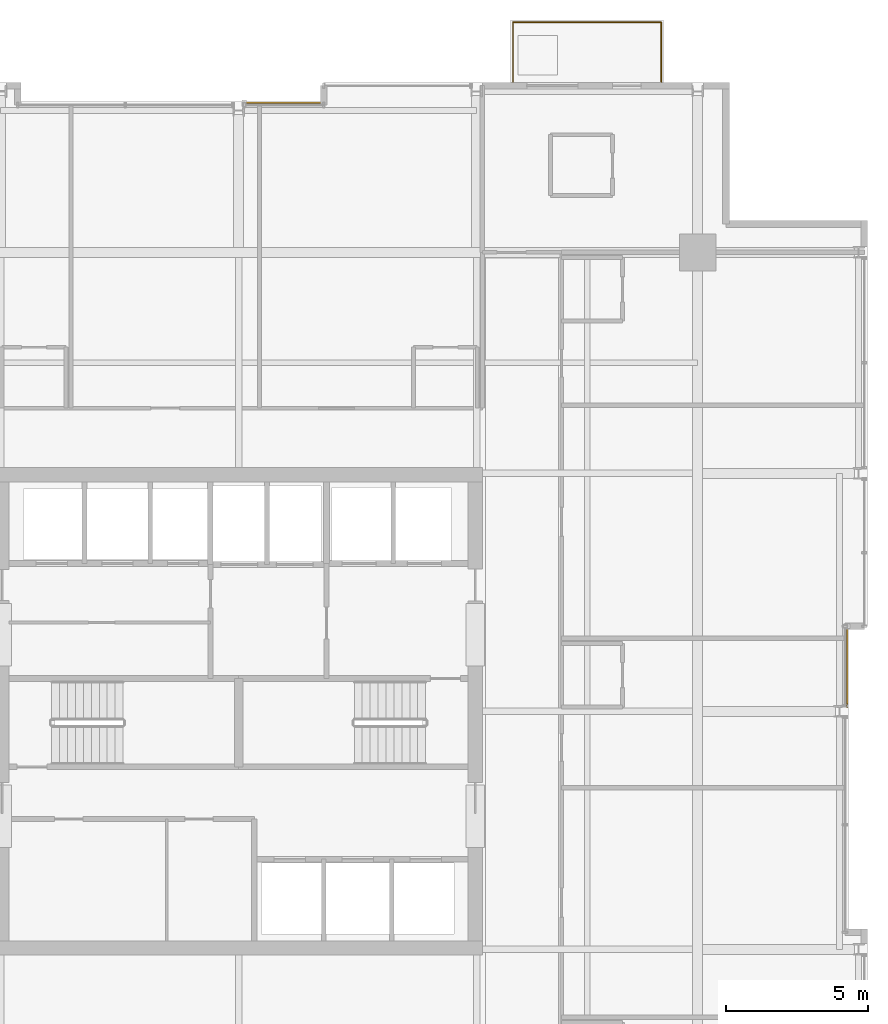
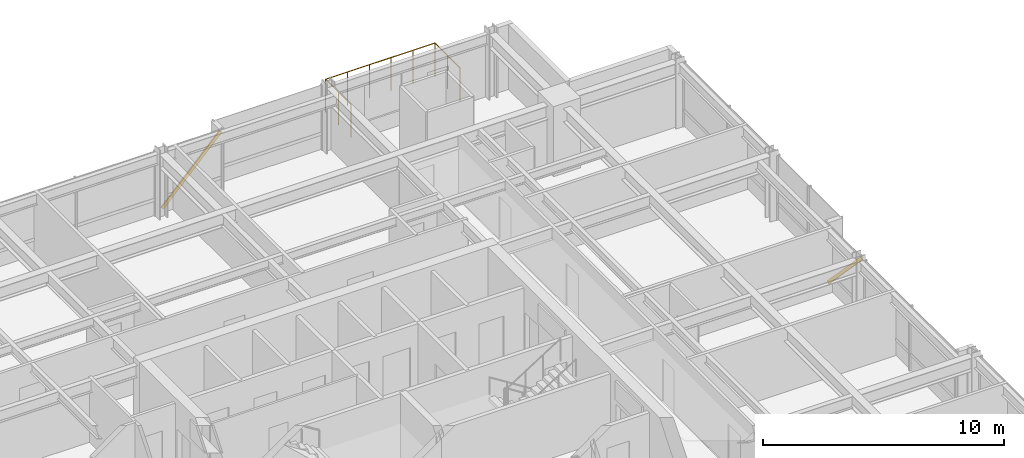
# One storey, part 34 of 34: 2 shading devices, 1 railing.
"""IFC4 building model written with IfcOpenShell, lengths in metres."""

from ifc_helpers import new_model, si_unit, direction, frame, origin, origin_2d, place, context, subcontext, project, spatial, hollow_rectangle, circle, extrude, material, material_profile, profile_set, type_object, element, save


model = new_model("IFC4")

# Units and contexts
model_context = context("Model", 3, precision=1e-05, world=origin(), true_north=direction((0.0, 1.0)))
body_context = subcontext(model_context, "Body", "Model", "MODEL_VIEW")
ifc_project = project(units=[si_unit("LENGTHUNIT", "METRE"), si_unit("AREAUNIT", "SQUARE_METRE"), si_unit("VOLUMEUNIT", "CUBIC_METRE"), si_unit("PLANEANGLEUNIT", "RADIAN"), si_unit("MASSUNIT", "GRAM", prefix="KILO")], contexts=[model_context])

# Site, building, storey
site_placement = place(None, origin())
site = spatial("IfcSite", under=ifc_project, at=site_placement, CompositionType="ELEMENT")
building_placement = place(site_placement, origin())
building = spatial("IfcBuilding", under=site, at=building_placement, Name="Drelvath Grand Hotel", CompositionType="ELEMENT")
storey_placement = place(building_placement, frame((0.0, 0.0, 175.25)))
storey = spatial("IfcBuildingStorey", under=building, at=storey_placement, Name="L45", CompositionType="ELEMENT", Elevation=175.25)

# Shading devices
ifc_material_1 = material(Name="Brushed Pale-Silver Anodised Aluminium", Category="aluminium")
ifc_material_profile = material_profile(ifc_material_1, hollow_rectangle(XDim=0.06494140625, YDim=0.159912109375, WallThickness=0.00390625, at=origin_2d()), Name="HSS160X65X4")
ifc_profile_set = profile_set([ifc_material_profile], Name="Brushed Pale-Silver Anodised Aluminium")
shading_device_type = type_object("IfcShadingDeviceType", Name="Diagonal Solar Fin Pale-Silver Anodised HSS160X65X4", PredefinedType="USERDEFINED", material=ifc_profile_set)
for number, where, z_axis, x_axis, name in (
    (1, (21.47998046875, 30.0, 0.179931640625), (0.0, -0.690839577848, 0.723008075805), (1.0, 0.0, 0.0), "L45 Diagonal Anodised Fin CW04-L45-EM2"),
    (2, (0.2001953125, 48.47998046875, 0.179931640625), (0.690839577848, 0.0, 0.723008075805), (0.0, 1.0, 0.0), "L45 Diagonal Anodised Fin CW04-L45-NM2"),
):
    element("IfcShadingDevice", number, at=place(storey_placement, frame(where, z_axis=z_axis, x_axis=x_axis)), inside=storey, type_object=shading_device_type, Name=name, ObjectType="FIN", PredefinedType="USERDEFINED", context=body_context, shape_type="SweptSolid", body=[
        extrude(hollow_rectangle(XDim=0.06494140625, YDim=0.159912109375, WallThickness=0.00390625, at=origin_2d()), origin(), (0.0, 0.0, 1.0), 4.052734375),
    ])

# Railing
ifc_material_2 = material(Name="Anodised Aluminium and Laminated Glass Balustrade", Category="aluminium")
railing_type = type_object("IfcRailingType", Name="Raised Planter Edge Balustrade 1700", PredefinedType="BALUSTRADE", material=ifc_material_2)
railing_placement = place(storey_placement, frame((9.679931640625, 49.219970703125, 0.0)))
element("IfcRailing", 3, at=railing_placement, inside=storey, type_object=railing_type, Name="L45 Tree Balcony Perimeter Balustrade 1", PredefinedType="BALUSTRADE", context=body_context, shape_type="SweptSolid", body=[
    extrude(circle(Radius=0.02392578125, at=origin_2d()), frame((0.0, 0.0, 1.67578125), z_axis=(0.0, 1.0, 0.0), x_axis=(-1.0, 0.0, 0.0)), (0.0, 0.0, 1.0), 2.10009765625),
    extrude(circle(Radius=0.02392578125, at=origin_2d()), frame((0.0, 2.10009765625, 1.67578125), z_axis=(1.0, 0.0, 0.0), x_axis=(0.0, 1.0, 0.0)), (0.0, 0.0, 1.0), 5.239990234375),
    extrude(circle(Radius=0.02392578125, at=origin_2d()), frame((5.239990234375, 2.10009765625, 1.67578125), z_axis=(0.0, -1.0, 0.0), x_axis=(1.0, 0.0, 0.0)), (0.0, 0.0, 1.0), 2.10009765625),
    extrude(circle(Radius=0.02099609375, at=origin_2d()), origin(), (0.0, 0.0, 1.0), 1.65185546875),
    extrude(circle(Radius=0.02099609375, at=origin_2d()), frame((0.0, 1.050048828125, 0.0)), (0.0, 0.0, 1.0), 1.65185546875),
    extrude(circle(Radius=0.02099609375, at=origin_2d()), frame((0.0, 2.10009765625, 0.0)), (0.0, 0.0, 1.0), 1.65185546875),
    extrude(circle(Radius=0.02099609375, at=origin_2d()), frame((1.048095703125, 2.10009765625, 0.0)), (0.0, 0.0, 1.0), 1.65185546875),
    extrude(circle(Radius=0.02099609375, at=origin_2d()), frame((2.095947265625, 2.10009765625, 0.0)), (0.0, 0.0, 1.0), 1.65185546875),
    extrude(circle(Radius=0.02099609375, at=origin_2d()), frame((3.14404296875, 2.10009765625, 0.0)), (0.0, 0.0, 1.0), 1.65185546875),
    extrude(circle(Radius=0.02099609375, at=origin_2d()), frame((4.19189453125, 2.10009765625, 0.0)), (0.0, 0.0, 1.0), 1.65185546875),
    extrude(circle(Radius=0.02099609375, at=origin_2d()), frame((5.239990234375, 2.10009765625, 0.0)), (0.0, 0.0, 1.0), 1.65185546875),
    extrude(circle(Radius=0.02099609375, at=origin_2d()), frame((5.239990234375, 1.050048828125, 0.0)), (0.0, 0.0, 1.0), 1.65185546875),
    extrude(circle(Radius=0.02099609375, at=origin_2d()), frame((5.239990234375, 0.0, 0.0)), (0.0, 0.0, 1.0), 1.65185546875),
])

save(model, "model.ifc")
